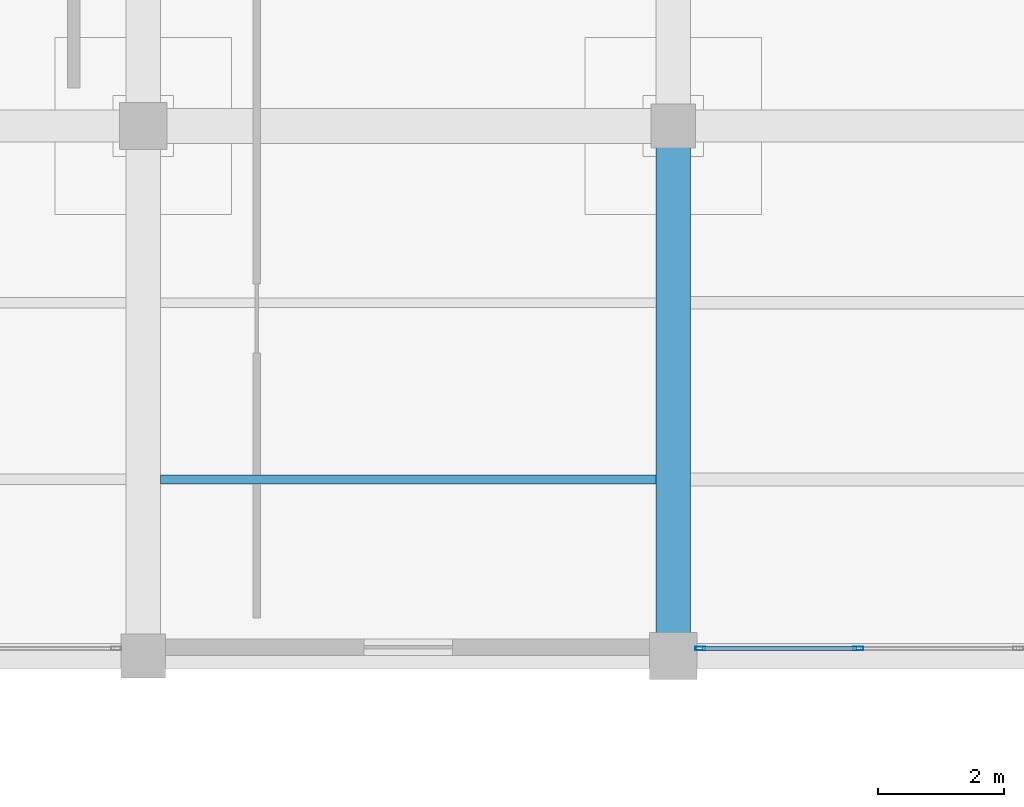
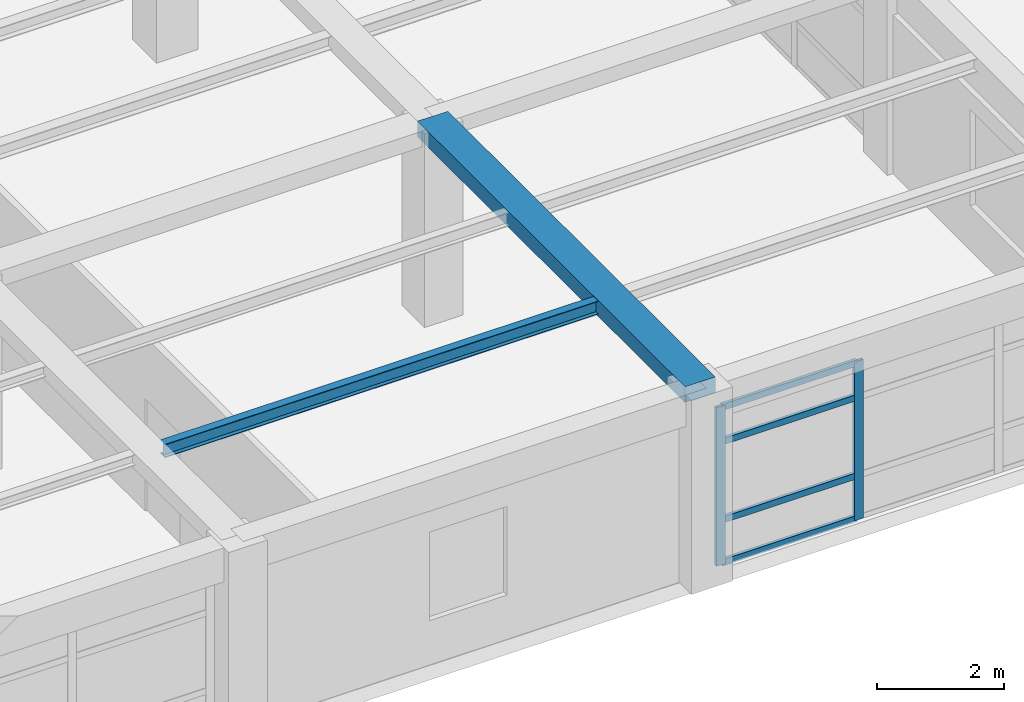
# One storey, part 15 of 35: 6 members, 2 beams, 1 element without a shape of its own.
"""IFC4 building model written with IfcOpenShell, lengths in metres."""

from ifc_helpers import new_model, si_unit, direction, frame, origin, origin_2d, place, context, subcontext, project, spatial, rectangle, hollow_rectangle, i_section, extrude, material, material_profile, profile_set, type_object, element, aggregate, save


model = new_model("IFC4")

# Units and contexts
model_context = context("Model", 3, precision=1e-05, world=origin(), true_north=direction((0.0, 1.0)))
body_context = subcontext(model_context, "Body", "Model", "MODEL_VIEW")
ifc_project = project(units=[si_unit("LENGTHUNIT", "METRE"), si_unit("AREAUNIT", "SQUARE_METRE"), si_unit("VOLUMEUNIT", "CUBIC_METRE"), si_unit("PLANEANGLEUNIT", "RADIAN"), si_unit("MASSUNIT", "GRAM", prefix="KILO")], contexts=[model_context])

# Site, building, storey
site_placement = place(None, origin())
site = spatial("IfcSite", under=ifc_project, at=site_placement, CompositionType="ELEMENT")
building_placement = place(site_placement, origin())
building = spatial("IfcBuilding", under=site, at=building_placement, Name="Almacenes y Pasaje Nevantli", CompositionType="ELEMENT")
storey_placement = place(building_placement, frame((0.0, 0.0, 26.699951171875)))
storey = spatial("IfcBuildingStorey", under=building, at=storey_placement, Name="L06", CompositionType="ELEMENT", Elevation=26.699951171875)

# Beams
ifc_material_1 = material(Name="Concrete C35/45", Category="concrete")
ifc_material_profile_1 = material_profile(ifc_material_1, rectangle(XDim=0.550048828125, YDim=0.300048828125, at=origin_2d()), Name="RC-BM-550x300")
ifc_profile_set_1 = profile_set([ifc_material_profile_1], Name="Concrete C35/45")
beam_type_1 = type_object("IfcBeamType", Name="BM-RC-550x300", PredefinedType="BEAM", material=ifc_profile_set_1)
beam_1_placement = place(storey_placement, frame((151.199951171875, 67.199951171875, 3.570068359375), z_axis=(0.0, 1.0, 0.0), x_axis=(-1.0, 0.0, 0.0)))
element("IfcBeam", 1, at=beam_1_placement, inside=storey, type_object=beam_type_1, Name="L06 North-South Reinforced Concrete Beam #3621", PredefinedType="BEAM", context=body_context, shape_type="SweptSolid", body=[
    extrude(rectangle(XDim=0.550048828125, YDim=0.300048828125, at=origin_2d()), origin(), (0.0, 0.0, 1.0), 8.400146484375),
])
ifc_material_2 = material(Name="Steel ASTM A992", Category="steel")
ifc_material_profile_2 = material_profile(ifc_material_2, i_section(OverallWidth=0.14697265625, OverallDepth=0.257080078125, WebThickness=0.006591796875, FlangeThickness=0.01123046875, at=origin_2d()), Name="IR 254x38.7")
ifc_profile_set_2 = profile_set([ifc_material_profile_2], Name="Steel ASTM A992")
beam_type_2 = type_object("IfcBeamType", Name="BM-STL-IR-254x38p7", PredefinedType="JOIST", material=ifc_profile_set_2)
beam_2_placement = place(storey_placement, frame((143.074951171875, 70.0, 3.58349609375), z_axis=(1.0, 0.0, 0.0), x_axis=(0.0, 1.0, 0.0)))
element("IfcBeam", 2, at=beam_2_placement, inside=storey, type_object=beam_type_2, Name="L06 Secondary Steel Floor Joist #1371", PredefinedType="JOIST", context=body_context, shape_type="SweptSolid", body=[
    extrude(i_section(OverallWidth=0.14697265625, OverallDepth=0.257080078125, WebThickness=0.006591796875, FlangeThickness=0.01123046875, at=origin_2d()), origin(), (0.0, 0.0, 1.0), 7.85009765625),
])

# Curtain wall, members
ifc_material_3 = material(Name="Thermally Broken Aluminium and Low-E Glass", Category="aluminium")
curtain_wall_type = type_object("IfcCurtainWallType", Name="CW-UNIT-TOWER", PredefinedType="USERDEFINED", material=ifc_material_3)
curtain_wall_placement = place(storey_placement, origin())
curtain_wall = element("IfcCurtainWall", 3, at=curtain_wall_placement, inside=storey, type_object=curtain_wall_type, Name="L06 Tower South Unitized Curtain Wall Bay 19", ObjectType="UNITIZED CURTAIN WALL", PredefinedType="USERDEFINED")
ifc_material_4 = material(Name="Thermally Broken Anodized Aluminium", Category="aluminium")
ifc_material_profile_3 = material_profile(ifc_material_4, hollow_rectangle(XDim=0.06005859375, YDim=0.159912109375, WallThickness=0.00390625, at=origin_2d()), Name="ALU-MUL-60x160")
ifc_profile_set_3 = profile_set([ifc_material_profile_3], Name="Thermally Broken Anodized Aluminium")
member_type_1 = type_object("IfcMemberType", Name="CW-MUL-180", PredefinedType="MULLION", material=ifc_profile_set_3)
member_1_placement = place(storey_placement, frame((151.6298828125, 67.320068359375, 0.0), z_axis=(0.0, 0.0, 1.0), x_axis=(0.0, 1.0, 0.0)))
member_1 = element("IfcMember", 4, at=member_1_placement, type_object=member_type_1, Name="CW-L06-107 mullion 1", PredefinedType="MULLION", context=body_context, shape_type="SweptSolid", body=[
    extrude(hollow_rectangle(XDim=0.06005859375, YDim=0.159912109375, WallThickness=0.00390625, at=origin_2d()), origin(), (0.0, 0.0, 1.0), 3.0400390625),
])
member_2_placement = place(storey_placement, frame((154.13330078125, 67.320068359375, 0.0), z_axis=(0.0, 0.0, 1.0), x_axis=(0.0, 1.0, 0.0)))
member_2 = element("IfcMember", 5, at=member_2_placement, type_object=member_type_1, Name="CW-L06-107 mullion 2", PredefinedType="MULLION", context=body_context, shape_type="SweptSolid", body=[
    extrude(hollow_rectangle(XDim=0.06005859375, YDim=0.159912109375, WallThickness=0.00390625, at=origin_2d()), origin(), (0.0, 0.0, 1.0), 3.0400390625),
])
ifc_material_5 = material(Name="Thermally Broken Anodized Aluminium", Category="aluminium")
ifc_material_profile_4 = material_profile(ifc_material_5, hollow_rectangle(XDim=0.06005859375, YDim=0.1201171875, WallThickness=0.00341796875, at=origin_2d()), Name="ALU-TRN-60x120")
ifc_profile_set_4 = profile_set([ifc_material_profile_4], Name="Thermally Broken Anodized Aluminium")
member_type_2 = type_object("IfcMemberType", Name="CW-TRN-130", PredefinedType="USERDEFINED", material=ifc_profile_set_4)
member_3_placement = place(storey_placement, frame((151.659912109375, 67.320068359375, 0.030029296875), z_axis=(1.0, 0.0, 0.0), x_axis=(0.0, 1.0, 0.0)))
member_3 = element("IfcMember", 6, at=member_3_placement, type_object=member_type_2, Name="CW-L06-107 transom 1.1", ObjectType="TRANSOM", PredefinedType="USERDEFINED", context=body_context, shape_type="SweptSolid", body=[
    extrude(hollow_rectangle(XDim=0.06005859375, YDim=0.1201171875, WallThickness=0.00341796875, at=origin_2d()), origin(), (0.0, 0.0, 1.0), 2.443359375),
])
member_4_placement = place(storey_placement, frame((151.659912109375, 67.320068359375, 0.85009765625), z_axis=(1.0, 0.0, 0.0), x_axis=(0.0, 1.0, 0.0)))
member_4 = element("IfcMember", 7, at=member_4_placement, type_object=member_type_2, Name="CW-L06-107 transom 1.2", ObjectType="TRANSOM", PredefinedType="USERDEFINED", context=body_context, shape_type="SweptSolid", body=[
    extrude(hollow_rectangle(XDim=0.06005859375, YDim=0.1201171875, WallThickness=0.00341796875, at=origin_2d()), origin(), (0.0, 0.0, 1.0), 2.443359375),
])
member_5_placement = place(storey_placement, frame((151.659912109375, 67.320068359375, 2.35009765625), z_axis=(1.0, 0.0, 0.0), x_axis=(0.0, 1.0, 0.0)))
member_5 = element("IfcMember", 8, at=member_5_placement, type_object=member_type_2, Name="CW-L06-107 transom 1.3", ObjectType="TRANSOM", PredefinedType="USERDEFINED", context=body_context, shape_type="SweptSolid", body=[
    extrude(hollow_rectangle(XDim=0.06005859375, YDim=0.1201171875, WallThickness=0.00341796875, at=origin_2d()), origin(), (0.0, 0.0, 1.0), 2.443359375),
])
member_6_placement = place(storey_placement, frame((151.659912109375, 67.320068359375, 3.010009765625), z_axis=(1.0, 0.0, 0.0), x_axis=(0.0, 1.0, 0.0)))
member_6 = element("IfcMember", 9, at=member_6_placement, type_object=member_type_2, Name="CW-L06-107 transom 1.4", ObjectType="TRANSOM", PredefinedType="USERDEFINED", context=body_context, shape_type="SweptSolid", body=[
    extrude(hollow_rectangle(XDim=0.06005859375, YDim=0.1201171875, WallThickness=0.00341796875, at=origin_2d()), origin(), (0.0, 0.0, 1.0), 2.443359375),
])
aggregate(curtain_wall, [member_1, member_2, member_3, member_4, member_5, member_6])

save(model, "model.ifc")
